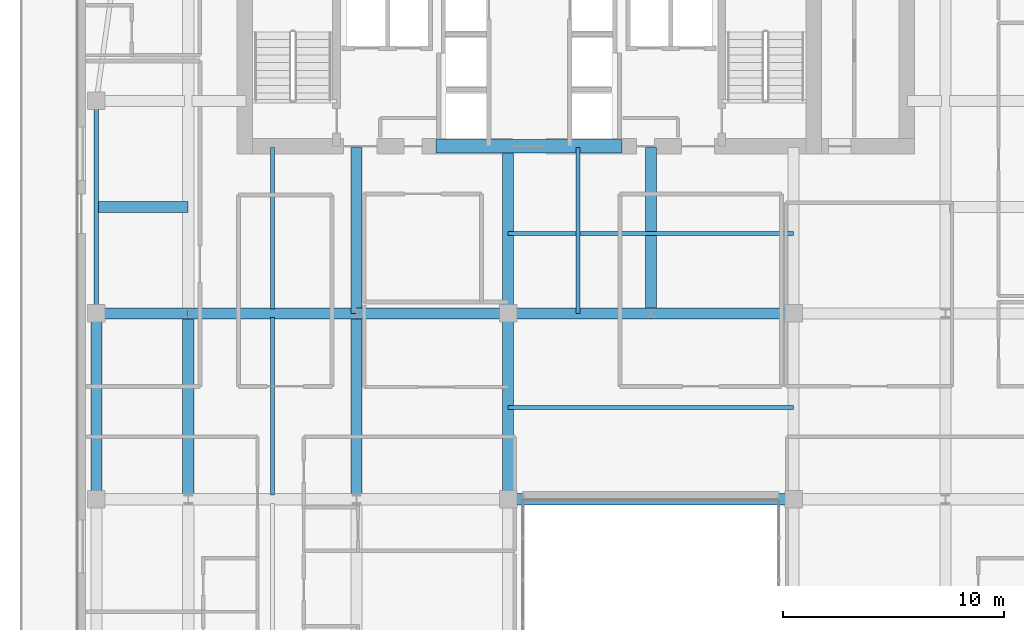
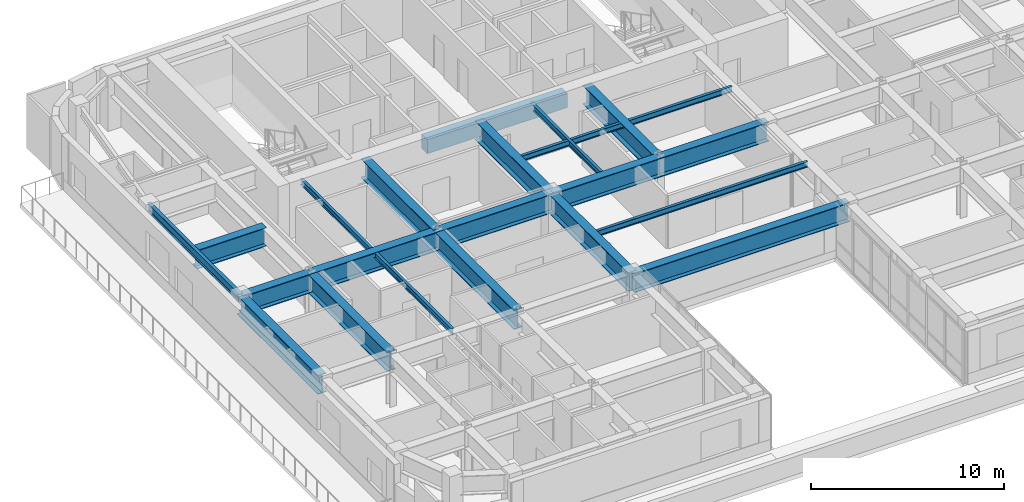
# One storey, part 4 of 20: 21 beams.
"""IFC4 building model written with IfcOpenShell, lengths in metres."""

from ifc_helpers import new_model, si_unit, direction, frame, origin, origin_2d, place, context, subcontext, project, spatial, rectangle, i_section, extrude, source, transform, mapped, material, material_profile, profile_set, type_object, type_shapes, element, save


model = new_model("IFC4")

# Units and contexts
model_context = context("Model", 3, precision=1e-05, world=origin(), true_north=direction((0.0, 1.0)))
body_context = subcontext(model_context, "Body", "Model", "MODEL_VIEW")
ifc_project = project(units=[si_unit("LENGTHUNIT", "METRE"), si_unit("AREAUNIT", "SQUARE_METRE"), si_unit("VOLUMEUNIT", "CUBIC_METRE"), si_unit("PLANEANGLEUNIT", "RADIAN"), si_unit("MASSUNIT", "GRAM", prefix="KILO")], contexts=[model_context])

# Site, building, storey
site_placement = place(None, origin())
site = spatial("IfcSite", under=ifc_project, at=site_placement, CompositionType="ELEMENT")
building_placement = place(site_placement, origin())
building = spatial("IfcBuilding", under=site, at=building_placement, Name="Tolvann Quenvar Hotel", CompositionType="ELEMENT")
storey_placement = place(building_placement, frame((0.0, 0.0, 147.050048828125)))
storey = spatial("IfcBuildingStorey", under=building, at=storey_placement, Name="L38", CompositionType="ELEMENT", Elevation=147.050048828125)

# Beams
ifc_material_1 = material(Name="Concrete N50 (50 MPa)", Category="concrete")
ifc_material_profile_1 = material_profile(ifc_material_1, rectangle(XDim=0.60009765625, YDim=0.89990234375, at=origin_2d()), Name="RC600x900")
ifc_profile_set_1 = profile_set([ifc_material_profile_1], Name="Concrete N50 (50 MPa)")
beam_type_1 = type_object("IfcBeamType", Name="BM_LINT_RC600x900", PredefinedType="LINTEL", material=ifc_profile_set_1)
shared_shape_1 = source(origin(), body_context, "Body", "SweptSolid", [
    extrude(rectangle(XDim=0.60009765625, YDim=0.89990234375, at=origin_2d()), origin(), (0.0, 0.0, 1.0), 8.39990234375),
])
type_shapes(beam_type_1, [shared_shape_1])
beam_1_placement = place(storey_placement, frame((18.800048828125, 31.949951171875, 2.919921875), z_axis=(1.0, 0.0, 0.0), x_axis=(0.0, 1.0, 0.0)))
element("IfcBeam", 1, at=beam_1_placement, inside=storey, type_object=beam_type_1, Name="Core Coupling Lintel Beam (L38)", PredefinedType="LINTEL", context=body_context, shape_type="MappedRepresentation", body=[
    mapped(shared_shape_1, transform((0.0, 0.0, 0.0), x_axis=(1.0, 0.0, 0.0), y_axis=(0.0, 1.0, 0.0), z_axis=(0.0, 0.0, 1.0), scale=1.0)),
])
ifc_material_2 = material(Name="Steel Grade 350", Category="steel")
ifc_material_profile_2 = material_profile(ifc_material_2, i_section(OverallWidth=0.5, OverallDepth=1.199951171875, WebThickness=0.01611328125, FlangeThickness=0.0400390625, at=origin_2d()), Name="1200WB455")
ifc_profile_set_2 = profile_set([ifc_material_profile_2], Name="Steel Grade 350")
beam_type_2 = type_object("IfcBeamType", Name="BM_TG_1200WB455", PredefinedType="USERDEFINED", material=ifc_profile_set_2)
shared_shape_2 = source(origin(), body_context, "Body", "SweptSolid", [
    extrude(i_section(OverallWidth=0.5, OverallDepth=1.199951171875, WebThickness=0.01611328125, FlangeThickness=0.0400390625, at=origin_2d()), origin(), (0.0, 0.0, 1.0), 7.5),
])
for number, where, z_axis, x_axis, name in (
    (2, (15.199951171875, 24.39990234375, 2.77001953125), (0.0, 1.0, 0.0), (-1.0, 0.0, 0.0), "BM-L38-CORE-D5"),
    (3, (22.050048828125, 24.39990234375, 2.77001953125), (0.0, 1.0, 0.0), (-1.0, 0.0, 0.0), "BM-L38-CORE-E5"),
    (4, (28.5, 24.39990234375, 2.77001953125), (0.0, 1.0, 0.0), (-1.0, 0.0, 0.0), "BM-L38-CORE-M5"),
):
    element("IfcBeam", number, at=place(storey_placement, frame(where, z_axis=z_axis, x_axis=x_axis)), inside=storey, type_object=beam_type_2, Name=name, ObjectType="TRANSFER GIRDER", PredefinedType="USERDEFINED", context=body_context, shape_type="MappedRepresentation", body=[
        mapped(shared_shape_2, transform((0.0, 0.0, 0.0), x_axis=(1.0, 0.0, 0.0), y_axis=(0.0, 1.0, 0.0), z_axis=(0.0, 0.0, 1.0), scale=1.0)),
    ])
shared_shape_3 = source(origin(), body_context, "Body", "SweptSolid", [
    extrude(i_section(OverallWidth=0.5, OverallDepth=1.199951171875, WebThickness=0.01611328125, FlangeThickness=0.0400390625, at=origin_2d()), origin(), (0.0, 0.0, 1.0), 7.599853515625),
])
beam_2_placement = place(storey_placement, frame((7.60009765625, 24.39990234375, 2.77001953125), z_axis=(1.0, 0.0, 0.0), x_axis=(0.0, 1.0, 0.0)))
element("IfcBeam", 5, at=beam_2_placement, inside=storey, type_object=beam_type_2, Name="BM-L38-EW-5-C5-D5", ObjectType="TRANSFER GIRDER", PredefinedType="USERDEFINED", context=body_context, shape_type="MappedRepresentation", body=[
    mapped(shared_shape_3, transform((0.0, 0.0, 0.0), x_axis=(1.0, 0.0, 0.0), y_axis=(0.0, 1.0, 0.0), z_axis=(0.0, 0.0, 1.0), scale=1.0)),
])
shared_shape_4 = source(origin(), body_context, "Body", "SweptSolid", [
    extrude(i_section(OverallWidth=0.5, OverallDepth=1.199951171875, WebThickness=0.01611328125, FlangeThickness=0.0400390625, at=origin_2d()), origin(), (0.0, 0.0, 1.0), 6.449951171875),
])
for number, where, z_axis, x_axis, name in (
    (6, (22.050048828125, 24.39990234375, 2.77001953125), (1.0, 0.0, 0.0), (0.0, 1.0, 0.0), "BM-L38-EW-5-E5-M5"),
    (7, (28.5, 24.39990234375, 2.77001953125), (1.0, 0.0, 0.0), (0.0, 1.0, 0.0), "BM-L38-EW-5-M5-F5"),
):
    element("IfcBeam", number, at=place(storey_placement, frame(where, z_axis=z_axis, x_axis=x_axis)), inside=storey, type_object=beam_type_2, Name=name, ObjectType="TRANSFER GIRDER", PredefinedType="USERDEFINED", context=body_context, shape_type="MappedRepresentation", body=[
        mapped(shared_shape_4, transform((0.0, 0.0, 0.0), x_axis=(1.0, 0.0, 0.0), y_axis=(0.0, 1.0, 0.0), z_axis=(0.0, 0.0, 1.0), scale=1.0)),
    ])
ifc_material_profile_3 = material_profile(ifc_material_2, i_section(OverallWidth=0.208984375, OverallDepth=0.528076171875, WebThickness=0.009521484375, FlangeThickness=0.01318359375, FilletRadius=0.013916015625, at=origin_2d()), Name="530UB82")
ifc_profile_set_3 = profile_set([ifc_material_profile_3], Name="Steel Grade 350")
beam_type_3 = type_object("IfcBeamType", Name="BM_SPAND_530UB82", PredefinedType="SPANDREL", material=ifc_profile_set_3)
shared_shape_5 = source(origin(), body_context, "Body", "SweptSolid", [
    extrude(i_section(OverallWidth=0.208984375, OverallDepth=0.528076171875, WebThickness=0.009521484375, FlangeThickness=0.01318359375, FilletRadius=0.013916015625, at=origin_2d()), origin(), (0.0, 0.0, 1.0), 9.60009765625),
])
type_shapes(beam_type_3, [shared_shape_5])
beam_3_placement = place(storey_placement, frame((3.449951171875, 24.39990234375, 3.10595703125), z_axis=(0.0, 1.0, 0.0), x_axis=(-1.0, 0.0, 0.0)))
element("IfcBeam", 8, at=beam_3_placement, inside=storey, type_object=beam_type_3, Name="BM-L38-FLK-W1", PredefinedType="SPANDREL", context=body_context, shape_type="MappedRepresentation", body=[
    mapped(shared_shape_5, transform((0.0, 0.0, 0.0), x_axis=(1.0, 0.0, 0.0), y_axis=(0.0, 1.0, 0.0), z_axis=(0.0, 0.0, 1.0), scale=1.0)),
])
shared_shape_6 = source(origin(), body_context, "Body", "SweptSolid", [
    extrude(i_section(OverallWidth=0.5, OverallDepth=1.199951171875, WebThickness=0.01611328125, FlangeThickness=0.0400390625, at=origin_2d()), origin(), (0.0, 0.0, 1.0), 4.150146484375),
])
for number, where, z_axis, x_axis, name in (
    (9, (3.449951171875, 24.39990234375, 2.77001953125), (1.0, 0.0, 0.0), (0.0, 1.0, 0.0), "BM-L38-EW-5-B5-C5"),
    (10, (3.449951171875, 29.199951171875, 2.77001953125), (1.0, 0.0, 0.0), (0.0, 1.0, 0.0), "BM-L38-EW-BC29"),
):
    element("IfcBeam", number, at=place(storey_placement, frame(where, z_axis=z_axis, x_axis=x_axis)), inside=storey, type_object=beam_type_2, Name=name, ObjectType="TRANSFER GIRDER", PredefinedType="USERDEFINED", context=body_context, shape_type="MappedRepresentation", body=[
        mapped(shared_shape_6, transform((0.0, 0.0, 0.0), x_axis=(1.0, 0.0, 0.0), y_axis=(0.0, 1.0, 0.0), z_axis=(0.0, 0.0, 1.0), scale=1.0)),
    ])
shared_shape_7 = source(origin(), body_context, "Body", "SweptSolid", [
    extrude(i_section(OverallWidth=0.5, OverallDepth=1.199951171875, WebThickness=0.01611328125, FlangeThickness=0.0400390625, at=origin_2d()), origin(), (0.0, 0.0, 1.0), 6.85009765625),
])
beam_4_placement = place(storey_placement, frame((15.199951171875, 24.39990234375, 2.77001953125), z_axis=(1.0, 0.0, 0.0), x_axis=(0.0, 1.0, 0.0)))
element("IfcBeam", 11, at=beam_4_placement, inside=storey, type_object=beam_type_2, Name="BM-L38-EW-5-D5-E5", ObjectType="TRANSFER GIRDER", PredefinedType="USERDEFINED", context=body_context, shape_type="MappedRepresentation", body=[
    mapped(shared_shape_7, transform((0.0, 0.0, 0.0), x_axis=(1.0, 0.0, 0.0), y_axis=(0.0, 1.0, 0.0), z_axis=(0.0, 0.0, 1.0), scale=1.0)),
])
shared_shape_8 = source(origin(), body_context, "Body", "SweptSolid", [
    extrude(i_section(OverallWidth=0.5, OverallDepth=1.199951171875, WebThickness=0.01611328125, FlangeThickness=0.0400390625, at=origin_2d()), origin(), (0.0, 0.0, 1.0), 12.89990234375),
])
beam_5_placement = place(storey_placement, frame((22.050048828125, 16.0, 2.77001953125), z_axis=(1.0, 0.0, 0.0), x_axis=(0.0, 1.0, 0.0)))
element("IfcBeam", 12, at=beam_5_placement, inside=storey, type_object=beam_type_2, Name="BM-L38-EW-4-E4-F4", ObjectType="TRANSFER GIRDER", PredefinedType="USERDEFINED", context=body_context, shape_type="MappedRepresentation", body=[
    mapped(shared_shape_8, transform((0.0, 0.0, 0.0), x_axis=(1.0, 0.0, 0.0), y_axis=(0.0, 1.0, 0.0), z_axis=(0.0, 0.0, 1.0), scale=1.0)),
])
shared_shape_9 = source(origin(), body_context, "Body", "SweptSolid", [
    extrude(i_section(OverallWidth=0.5, OverallDepth=1.199951171875, WebThickness=0.01611328125, FlangeThickness=0.0400390625, at=origin_2d()), origin(), (0.0, 0.0, 1.0), 8.39990234375),
])
type_shapes(beam_type_2, [shared_shape_2, shared_shape_3, shared_shape_4, shared_shape_6, shared_shape_7, shared_shape_8, shared_shape_9])
for number, where, z_axis, x_axis, name in (
    (13, (3.449951171875, 16.0, 2.77001953125), (0.0, 1.0, 0.0), (-1.0, 0.0, 0.0), "BM-L38-NS-B4-B5"),
    (14, (7.60009765625, 16.0, 2.77001953125), (0.0, 1.0, 0.0), (-1.0, 0.0, 0.0), "BM-L38-NS-C4-C5"),
    (15, (15.199951171875, 16.0, 2.77001953125), (0.0, 1.0, 0.0), (-1.0, 0.0, 0.0), "BM-L38-NS-D4-D5"),
    (16, (22.050048828125, 16.0, 2.77001953125), (0.0, 1.0, 0.0), (-1.0, 0.0, 0.0), "BM-L38-NS-E4-E5"),
):
    element("IfcBeam", number, at=place(storey_placement, frame(where, z_axis=z_axis, x_axis=x_axis)), inside=storey, type_object=beam_type_2, Name=name, ObjectType="TRANSFER GIRDER", PredefinedType="USERDEFINED", context=body_context, shape_type="MappedRepresentation", body=[
        mapped(shared_shape_9, transform((0.0, 0.0, 0.0), x_axis=(1.0, 0.0, 0.0), y_axis=(0.0, 1.0, 0.0), z_axis=(0.0, 0.0, 1.0), scale=1.0)),
    ])
ifc_material_profile_4 = material_profile(ifc_material_2, i_section(OverallWidth=0.172119140625, OverallDepth=0.35888671875, WebThickness=0.008056640625, FlangeThickness=0.012939453125, FilletRadius=0.011474609375, at=origin_2d()), Name="360UB57")
ifc_profile_set_4 = profile_set([ifc_material_profile_4], Name="Steel Grade 350")
beam_type_4 = type_object("IfcBeamType", Name="BM_JOIST_360UB57", PredefinedType="JOIST", material=ifc_profile_set_4)
shared_shape_10 = source(origin(), body_context, "Body", "SweptSolid", [
    extrude(i_section(OverallWidth=0.172119140625, OverallDepth=0.35888671875, WebThickness=0.008056640625, FlangeThickness=0.012939453125, FilletRadius=0.011474609375, at=origin_2d()), origin(), (0.0, 0.0, 1.0), 12.89990234375),
])
for number, where, z_axis, x_axis, name in (
    (17, (22.050048828125, 20.14990234375, 3.1904296875), (1.0, 0.0, 0.0), (0.0, 1.0, 0.0), "BM-L38-SPINE-20"),
    (18, (22.050048828125, 28.0, 3.1904296875), (1.0, 0.0, 0.0), (0.0, 1.0, 0.0), "BM-L38-SPINE-28"),
):
    element("IfcBeam", number, at=place(storey_placement, frame(where, z_axis=z_axis, x_axis=x_axis)), inside=storey, type_object=beam_type_4, Name=name, PredefinedType="JOIST", context=body_context, shape_type="MappedRepresentation", body=[
        mapped(shared_shape_10, transform((0.0, 0.0, 0.0), x_axis=(1.0, 0.0, 0.0), y_axis=(0.0, 1.0, 0.0), z_axis=(0.0, 0.0, 1.0), scale=1.0)),
    ])
shared_shape_11 = source(origin(), body_context, "Body", "SweptSolid", [
    extrude(i_section(OverallWidth=0.172119140625, OverallDepth=0.35888671875, WebThickness=0.008056640625, FlangeThickness=0.012939453125, FilletRadius=0.011474609375, at=origin_2d()), origin(), (0.0, 0.0, 1.0), 8.030029296875),
])
beam_6_placement = place(storey_placement, frame((11.39990234375, 16.18505859375, 3.1904296875), z_axis=(0.0, 1.0, 0.0), x_axis=(-1.0, 0.0, 0.0)))
element("IfcBeam", 19, at=beam_6_placement, inside=storey, type_object=beam_type_4, Name="BJ-L38-114-160", PredefinedType="JOIST", context=body_context, shape_type="MappedRepresentation", body=[
    mapped(shared_shape_11, transform((0.0, 0.0, 0.0), x_axis=(1.0, 0.0, 0.0), y_axis=(0.0, 1.0, 0.0), z_axis=(0.0, 0.0, 1.0), scale=1.0)),
])
shared_shape_12 = source(origin(), body_context, "Body", "SweptSolid", [
    extrude(i_section(OverallWidth=0.172119140625, OverallDepth=0.35888671875, WebThickness=0.008056640625, FlangeThickness=0.012939453125, FilletRadius=0.011474609375, at=origin_2d()), origin(), (0.0, 0.0, 1.0), 7.31494140625),
])
beam_7_placement = place(storey_placement, frame((11.39990234375, 24.5849609375, 3.1904296875), z_axis=(0.0, 1.0, 0.0), x_axis=(-1.0, 0.0, 0.0)))
element("IfcBeam", 20, at=beam_7_placement, inside=storey, type_object=beam_type_4, Name="BJ-L38-114-244", PredefinedType="JOIST", context=body_context, shape_type="MappedRepresentation", body=[
    mapped(shared_shape_12, transform((0.0, 0.0, 0.0), x_axis=(1.0, 0.0, 0.0), y_axis=(0.0, 1.0, 0.0), z_axis=(0.0, 0.0, 1.0), scale=1.0)),
])
shared_shape_13 = source(origin(), body_context, "Body", "SweptSolid", [
    extrude(i_section(OverallWidth=0.172119140625, OverallDepth=0.35888671875, WebThickness=0.008056640625, FlangeThickness=0.012939453125, FilletRadius=0.011474609375, at=origin_2d()), origin(), (0.0, 0.0, 1.0), 7.5),
])
type_shapes(beam_type_4, [shared_shape_10, shared_shape_11, shared_shape_12, shared_shape_13])
beam_8_placement = place(storey_placement, frame((25.199951171875, 24.39990234375, 3.1904296875), z_axis=(0.0, 1.0, 0.0), x_axis=(-1.0, 0.0, 0.0)))
element("IfcBeam", 21, at=beam_8_placement, inside=storey, type_object=beam_type_4, Name="BJ-L38-252-244", PredefinedType="JOIST", context=body_context, shape_type="MappedRepresentation", body=[
    mapped(shared_shape_13, transform((0.0, 0.0, 0.0), x_axis=(1.0, 0.0, 0.0), y_axis=(0.0, 1.0, 0.0), z_axis=(0.0, 0.0, 1.0), scale=1.0)),
])

save(model, "model.ifc")
